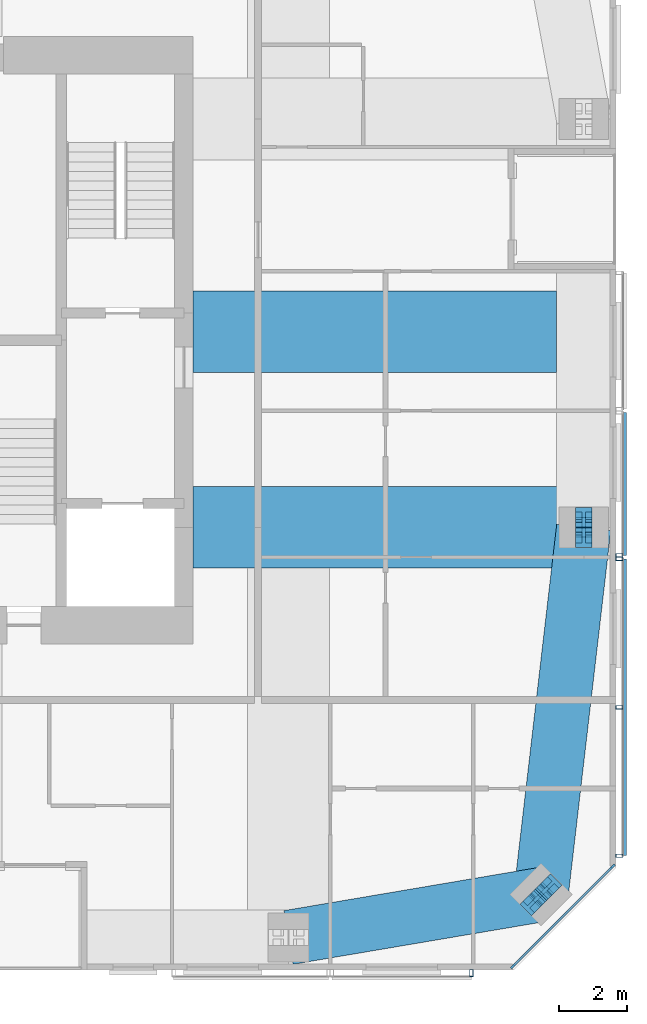
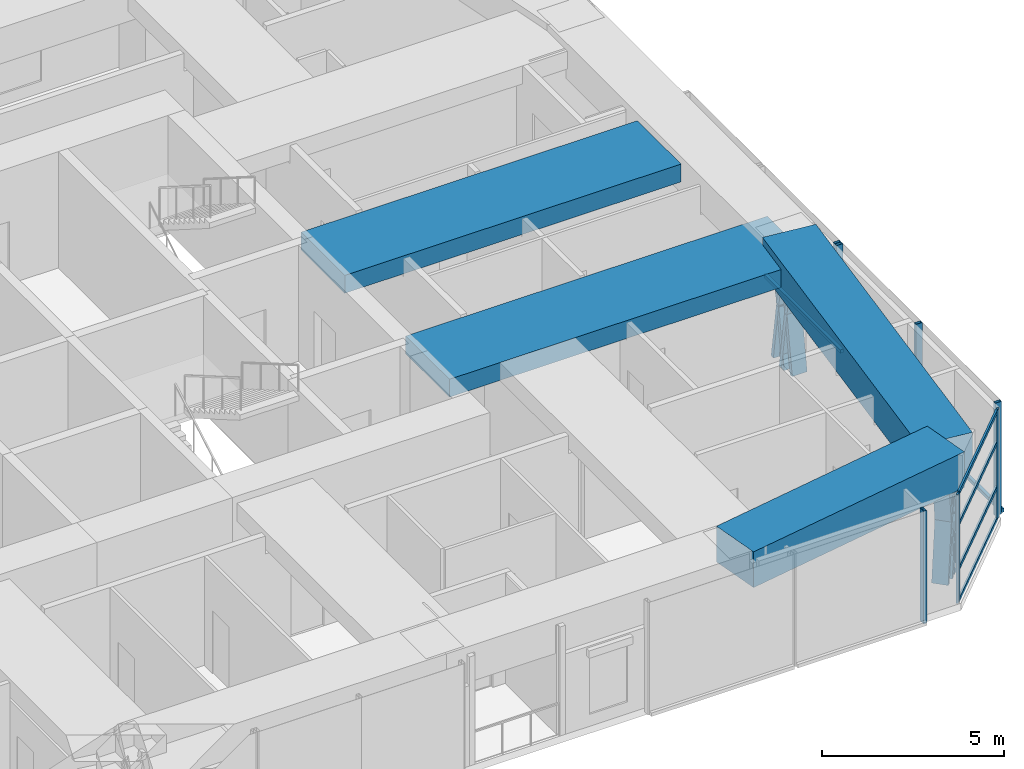
# One storey, part 8 of 20: 21 members, 4 beams, 4 elements without a shape of their own.
"""IFC4 building model written with IfcOpenShell, lengths in metres."""

from ifc_helpers import new_model, si_unit, direction, frame, origin, origin_2d, place, context, subcontext, project, spatial, rectangle, hollow_rectangle, i_section, extrude, material, material_profile, profile_set, type_object, element, aggregate, save


model = new_model("IFC4")

# Units and contexts
model_context = context("Model", 3, precision=1e-05, world=origin(), true_north=direction((0.0, 1.0)))
body_context = subcontext(model_context, "Body", "Model", "MODEL_VIEW")
ifc_project = project(units=[si_unit("LENGTHUNIT", "METRE"), si_unit("AREAUNIT", "SQUARE_METRE"), si_unit("VOLUMEUNIT", "CUBIC_METRE"), si_unit("PLANEANGLEUNIT", "RADIAN"), si_unit("MASSUNIT", "GRAM", prefix="KILO")], contexts=[model_context])

# Site, building, storey
site_placement = place(None, origin())
site = spatial("IfcSite", under=ifc_project, at=site_placement, CompositionType="ELEMENT")
building_placement = place(site_placement, origin())
building = spatial("IfcBuilding", under=site, at=building_placement, Name="Jalousie Tower", CompositionType="ELEMENT")
storey_placement = place(building_placement, frame((0.0, 0.0, 259.949951171875)))
storey = spatial("IfcBuildingStorey", under=building, at=storey_placement, Name="L71", CompositionType="ELEMENT", Elevation=259.949951171875)

# Curtain wall, members
ifc_material_1 = material(Name="Aluminium curtain wall", Category="aluminium")
curtain_wall_type_1 = type_object("IfcCurtainWallType", Name="PENTHOUSE CORNER WINDOW WALL", PredefinedType="USERDEFINED", material=ifc_material_1)
curtain_wall_1_placement = place(storey_placement, origin())
curtain_wall_1 = element("IfcCurtainWall", 1, at=curtain_wall_1_placement, inside=storey, type_object=curtain_wall_type_1, Name="Penthouse Corner Window Wall L71 2", ObjectType="PENTHOUSE CORNER WINDOW WALL", PredefinedType="USERDEFINED")
ifc_material_2 = material(Name="Aluminium mullion", Category="aluminium")
ifc_material_profile_1 = material_profile(ifc_material_2, rectangle(XDim=0.06005859375, YDim=0.179931640625, at=origin_2d()), Name="MULLION 60x180")
ifc_profile_set_1 = profile_set([ifc_material_profile_1], Name="Aluminium mullion")
member_type_1 = type_object("IfcMemberType", Name="PENTHOUSE CORNER WINDOW WALL MULLION", PredefinedType="MULLION", material=ifc_profile_set_1)
member_1_placement = place(storey_placement, frame((53.469970703125, 0.108642578125, 0.0), z_axis=(0.0, 0.0, 1.0), x_axis=(-0.707106781187, 0.707106781187, 0.0)))
member_1 = element("IfcMember", 2, at=member_1_placement, type_object=member_type_1, Name="CW-H mullion 1", PredefinedType="MULLION", context=body_context, shape_type="SweptSolid", body=[
    extrude(rectangle(XDim=0.06005859375, YDim=0.179931640625, at=origin_2d()), origin(), (0.0, 0.0, 1.0), 3.66015625),
])
member_2_placement = place(storey_placement, frame((56.391357421875, 3.030029296875, 0.0), z_axis=(0.0, 0.0, 1.0), x_axis=(-0.707106781187, 0.707106781187, 0.0)))
member_2 = element("IfcMember", 3, at=member_2_placement, type_object=member_type_1, Name="CW-H mullion 2", PredefinedType="MULLION", context=body_context, shape_type="SweptSolid", body=[
    extrude(rectangle(XDim=0.06005859375, YDim=0.179931640625, at=origin_2d()), origin(), (0.0, 0.0, 1.0), 3.66015625),
])
ifc_material_3 = material(Name="Aluminium transom", Category="aluminium")
ifc_material_profile_2 = material_profile(ifc_material_3, rectangle(XDim=0.06005859375, YDim=0.125, at=origin_2d()), Name="TRANSOM 60x125")
ifc_profile_set_2 = profile_set([ifc_material_profile_2], Name="Aluminium transom")
member_type_2 = type_object("IfcMemberType", Name="PENTHOUSE CORNER WINDOW WALL TRANSOM", PredefinedType="USERDEFINED", material=ifc_profile_set_2)
member_3_placement = place(storey_placement, frame((53.4912109375, 0.1298828125, 0.030029296875), z_axis=(0.707106781187, 0.707106781187, 0.0), x_axis=(-0.707106781187, 0.707106781187, 0.0)))
member_3 = element("IfcMember", 4, at=member_3_placement, type_object=member_type_2, Name="CW-H transom 1.1", ObjectType="TRANSOM", PredefinedType="USERDEFINED", context=body_context, shape_type="SweptSolid", body=[
    extrude(rectangle(XDim=0.06005859375, YDim=0.125, at=origin_2d()), origin(), (0.0, 0.0, 1.0), 4.0712890625),
])
member_4_placement = place(storey_placement, frame((53.4912109375, 0.1298828125, 1.10009765625), z_axis=(0.707106781187, 0.707106781187, 0.0), x_axis=(-0.707106781187, 0.707106781187, 0.0)))
member_4 = element("IfcMember", 5, at=member_4_placement, type_object=member_type_2, Name="CW-H transom 1.2", ObjectType="TRANSOM", PredefinedType="USERDEFINED", context=body_context, shape_type="SweptSolid", body=[
    extrude(rectangle(XDim=0.06005859375, YDim=0.125, at=origin_2d()), origin(), (0.0, 0.0, 1.0), 4.0712890625),
])
member_5_placement = place(storey_placement, frame((53.4912109375, 0.1298828125, 2.60009765625), z_axis=(0.707106781187, 0.707106781187, 0.0), x_axis=(-0.707106781187, 0.707106781187, 0.0)))
member_5 = element("IfcMember", 6, at=member_5_placement, type_object=member_type_2, Name="CW-H transom 1.3", ObjectType="TRANSOM", PredefinedType="USERDEFINED", context=body_context, shape_type="SweptSolid", body=[
    extrude(rectangle(XDim=0.06005859375, YDim=0.125, at=origin_2d()), origin(), (0.0, 0.0, 1.0), 4.0712890625),
])
member_6_placement = place(storey_placement, frame((53.4912109375, 0.1298828125, 3.630126953125), z_axis=(0.707106781187, 0.707106781187, 0.0), x_axis=(-0.707106781187, 0.707106781187, 0.0)))
member_6 = element("IfcMember", 7, at=member_6_placement, type_object=member_type_2, Name="CW-H transom 1.4", ObjectType="TRANSOM", PredefinedType="USERDEFINED", context=body_context, shape_type="SweptSolid", body=[
    extrude(rectangle(XDim=0.06005859375, YDim=0.125, at=origin_2d()), origin(), (0.0, 0.0, 1.0), 4.0712890625),
])
aggregate(curtain_wall_1, [member_1, member_2, member_3, member_4, member_5, member_6])

# Members
ifc_material_4 = material(Name="Steel ASTM A992 Grade 50", Category="steel")
ifc_material_profile_3 = material_profile(ifc_material_4, i_section(OverallWidth=0.472412109375, OverallDepth=0.5791015625, WebThickness=0.094970703125, FlangeThickness=0.1298828125, at=origin_2d()), Name="W14X808")
ifc_profile_set_3 = profile_set([ifc_material_profile_3], Name="Steel ASTM A992 Grade 50")
member_type_3 = type_object("IfcMemberType", Name="PERIMETER BRACE W14X808", PredefinedType="BRACE", material=ifc_profile_set_3)
for number, where, z_axis, x_axis, name in (
    (8, (54.04541015625, 1.959716796875, -0.599853515625), (0.124960137712, 0.124836902862, 0.984276745467), (-0.706757851183, 0.707455539091, 0.0), "Perimeter brace 05 L71 part 1"),
    (9, (54.29296875, 2.20703125, 1.35009765625), (0.124836902862, 0.124960137712, 0.984276745467), (-0.707455539091, 0.706757851183, 0.0), "Perimeter brace 05 L71 part 2"),
    (10, (54.540283203125, 2.45458984375, -0.599853515625), (-0.124836902862, -0.124960137712, 0.984276745467), (0.707455539091, -0.706757851183, 0.0), "Perimeter brace 05 L71 part 3"),
    (11, (54.29296875, 2.20703125, 1.35009765625), (-0.124960137712, -0.124836902862, 0.984276745467), (0.706757851183, -0.707455539091, 0.0), "Perimeter brace 05 L71 part 4"),
):
    element("IfcMember", number, at=place(storey_placement, frame(where, z_axis=z_axis, x_axis=x_axis)), inside=storey, type_object=member_type_3, Name=name, PredefinedType="BRACE", context=body_context, shape_type="SweptSolid", body=[
        extrude(i_section(OverallWidth=0.472412109375, OverallDepth=0.5791015625, WebThickness=0.094970703125, FlangeThickness=0.1298828125, at=origin_2d()), origin(), (0.0, 0.0, 1.0), 1.981201171875),
    ])
for number, where, z_axis, x_axis, name in (
    (12, (55.550048828125, 12.699951171875, -0.599853515625), (0.0, 0.152085080919, 0.988367405453), (-1.0, 0.0, 0.0), "Perimeter brace 06 L71 part 1"),
    (13, (55.550048828125, 13.0, 1.35009765625), (0.0, 0.152085080919, 0.988367405453), (-1.0, 0.0, 0.0), "Perimeter brace 06 L71 part 2"),
    (14, (55.550048828125, 13.300048828125, -0.599853515625), (0.0, -0.152085080919, 0.988367405453), (1.0, 0.0, 0.0), "Perimeter brace 06 L71 part 3"),
    (15, (55.550048828125, 13.0, 1.35009765625), (0.0, -0.152085080919, 0.988367405453), (1.0, 0.0, 0.0), "Perimeter brace 06 L71 part 4"),
):
    element("IfcMember", number, at=place(storey_placement, frame(where, z_axis=z_axis, x_axis=x_axis)), inside=storey, type_object=member_type_3, Name=name, PredefinedType="BRACE", context=body_context, shape_type="SweptSolid", body=[
        extrude(i_section(OverallWidth=0.472412109375, OverallDepth=0.5791015625, WebThickness=0.094970703125, FlangeThickness=0.1298828125, at=origin_2d()), origin(), (0.0, 0.0, 1.0), 1.972900390625),
    ])

# Beams
ifc_material_5 = material(Name="Concrete f'c 40 MPa", Category="concrete")
ifc_material_profile_4 = material_profile(ifc_material_5, rectangle(XDim=1.60009765625, YDim=1.199951171875, at=origin_2d()), Name="RC 1600x1200")
ifc_profile_set_4 = profile_set([ifc_material_profile_4], Name="Concrete f'c 40 MPa")
beam_type_1 = type_object("IfcBeamType", Name="RC BEAM 1600x1200", PredefinedType="BEAM", material=ifc_profile_set_4)
beam_1_placement = place(storey_placement, frame((46.875, 0.949951171875, 3.300048828125), z_axis=(0.985942997446, 0.167082033105, 0.0), x_axis=(-0.167082033105, 0.985942997446, 0.0)))
element("IfcBeam", 16, at=beam_1_placement, inside=storey, type_object=beam_type_1, Name="Edge band beam 04-05 under L72", PredefinedType="BEAM", context=body_context, shape_type="SweptSolid", body=[
    extrude(rectangle(XDim=1.60009765625, YDim=1.199951171875, at=origin_2d()), origin(), (0.0, 0.0, 1.0), 7.523681640625),
])
beam_2_placement = place(storey_placement, frame((54.29296875, 2.20703125, 3.300048828125), z_axis=(0.115690063472, 0.993285361421, 0.0), x_axis=(-0.993285361421, 0.115690063472, 0.0)))
element("IfcBeam", 17, at=beam_2_placement, inside=storey, type_object=beam_type_1, Name="Edge band beam 05-06 under L72", PredefinedType="BEAM", context=body_context, shape_type="SweptSolid", body=[
    extrude(rectangle(XDim=1.60009765625, YDim=1.199951171875, at=origin_2d()), origin(), (0.0, 0.0, 1.0), 10.865966796875),
])
ifc_material_6 = material(Name="Concrete f'c 40 MPa", Category="concrete")
ifc_material_profile_5 = material_profile(ifc_material_6, rectangle(XDim=2.39990234375, YDim=0.60009765625, at=origin_2d()), Name="RC 2400x600")
ifc_profile_set_5 = profile_set([ifc_material_profile_5], Name="Concrete f'c 40 MPa")
beam_type_2 = type_object("IfcBeamType", Name="RC BEAM 2400x600", PredefinedType="BEAM", material=ifc_profile_set_5)
beam_3_placement = place(storey_placement, frame((55.550048828125, 13.0, 3.360107421875), z_axis=(-1.0, 0.0, 0.0), x_axis=(0.0, -1.0, 0.0)))
element("IfcBeam", 18, at=beam_3_placement, inside=storey, type_object=beam_type_2, Name="Floor band beam under L72", PredefinedType="BEAM", context=body_context, shape_type="SweptSolid", body=[
    extrude(rectangle(XDim=2.39990234375, YDim=0.60009765625, at=origin_2d()), origin(), (0.0, 0.0, 1.0), 11.47509765625),
])
beam_4_placement = place(storey_placement, frame((44.074951171875, 18.75, 3.360107421875), z_axis=(1.0, 0.0, 0.0), x_axis=(0.0, 1.0, 0.0)))
element("IfcBeam", 19, at=beam_4_placement, inside=storey, type_object=beam_type_2, Name="Floor band beam under L72", PredefinedType="BEAM", context=body_context, shape_type="SweptSolid", body=[
    extrude(rectangle(XDim=2.39990234375, YDim=0.60009765625, at=origin_2d()), origin(), (0.0, 0.0, 1.0), 10.675048828125),
])

# Curtain wall, member
ifc_material_7 = material(Name="Perforated aluminium sheet", Category="aluminium")
curtain_wall_type_2 = type_object("IfcCurtainWallType", Name="SOLAR SCREEN SS-2", PredefinedType="USERDEFINED", material=ifc_material_7)
curtain_wall_2_placement = place(storey_placement, origin())
curtain_wall_2 = element("IfcCurtainWall", 20, at=curtain_wall_2_placement, inside=storey, type_object=curtain_wall_type_2, Name="Solar screen L71", ObjectType="SOLAR SCREEN SS-2", PredefinedType="USERDEFINED")
ifc_material_8 = material(Name="Steel ASTM A500 Grade C", Category="steel")
ifc_material_profile_6 = material_profile(ifc_material_8, hollow_rectangle(XDim=0.1015625, YDim=0.203125, WallThickness=0.0078125, at=origin_2d()), Name="HSS8X4X5/16")
ifc_profile_set_6 = profile_set([ifc_material_profile_6], Name="Steel ASTM A500 Grade C")
member_type_4 = type_object("IfcMemberType", Name="SOLAR SCREEN SS-2 MULLION", PredefinedType="MULLION", material=ifc_profile_set_6)
member_7_placement = place(storey_placement, frame((52.25, -0.0966796875, -0.119873046875), z_axis=(0.0, 0.0, 1.0), x_axis=(1.0, 0.0, 0.0)))
member_7 = element("IfcMember", 21, at=member_7_placement, type_object=member_type_4, Name="SS2 post 2", PredefinedType="MULLION", context=body_context, shape_type="SweptSolid", body=[
    extrude(hollow_rectangle(XDim=0.1015625, YDim=0.203125, WallThickness=0.0078125, at=origin_2d()), origin(), (0.0, 0.0, 1.0), 3.780029296875),
])
aggregate(curtain_wall_2, [member_7])

# Curtain wall, members
curtain_wall_3_placement = place(storey_placement, origin())
curtain_wall_3 = element("IfcCurtainWall", 22, at=curtain_wall_3_placement, inside=storey, type_object=curtain_wall_type_2, Name="Solar screen L71", ObjectType="SOLAR SCREEN SS-2", PredefinedType="USERDEFINED")
member_8_placement = place(storey_placement, frame((56.5966796875, 3.351318359375, -0.119873046875), z_axis=(0.0, 0.0, 1.0), x_axis=(0.0, 1.0, 0.0)))
member_8 = element("IfcMember", 23, at=member_8_placement, type_object=member_type_4, Name="SS2 post 1", PredefinedType="MULLION", context=body_context, shape_type="SweptSolid", body=[
    extrude(hollow_rectangle(XDim=0.1015625, YDim=0.203125, WallThickness=0.0078125, at=origin_2d()), origin(), (0.0, 0.0, 1.0), 3.780029296875),
])
member_9_placement = place(storey_placement, frame((56.5966796875, 7.713134765625, -0.119873046875), z_axis=(0.0, 0.0, 1.0), x_axis=(0.0, 1.0, 0.0)))
member_9 = element("IfcMember", 24, at=member_9_placement, type_object=member_type_4, Name="SS2 post 2", PredefinedType="MULLION", context=body_context, shape_type="SweptSolid", body=[
    extrude(hollow_rectangle(XDim=0.1015625, YDim=0.203125, WallThickness=0.0078125, at=origin_2d()), origin(), (0.0, 0.0, 1.0), 3.780029296875),
])
member_10_placement = place(storey_placement, frame((56.5966796875, 12.074951171875, -0.119873046875), z_axis=(0.0, 0.0, 1.0), x_axis=(0.0, 1.0, 0.0)))
member_10 = element("IfcMember", 25, at=member_10_placement, type_object=member_type_4, Name="SS2 post 3", PredefinedType="MULLION", context=body_context, shape_type="SweptSolid", body=[
    extrude(hollow_rectangle(XDim=0.1015625, YDim=0.203125, WallThickness=0.0078125, at=origin_2d()), origin(), (0.0, 0.0, 1.0), 3.780029296875),
])

# Curtain wall, member
curtain_wall_4_placement = place(storey_placement, origin())
curtain_wall_4 = element("IfcCurtainWall", 26, at=curtain_wall_4_placement, inside=storey, type_object=curtain_wall_type_2, Name="Solar screen L71", ObjectType="SOLAR SCREEN SS-2", PredefinedType="USERDEFINED")
member_11_placement = place(storey_placement, frame((56.5966796875, 12.175048828125, -0.119873046875), z_axis=(0.0, 0.0, 1.0), x_axis=(0.0, 1.0, 0.0)))
member_11 = element("IfcMember", 27, at=member_11_placement, type_object=member_type_4, Name="SS2 post 1", PredefinedType="MULLION", context=body_context, shape_type="SweptSolid", body=[
    extrude(hollow_rectangle(XDim=0.1015625, YDim=0.203125, WallThickness=0.0078125, at=origin_2d()), origin(), (0.0, 0.0, 1.0), 3.780029296875),
])

# Member
ifc_material_9 = material(Name="Extruded aluminium screen rail", Category="aluminium")
ifc_material_profile_7 = material_profile(ifc_material_9, rectangle(XDim=0.1015625, YDim=0.1201171875, at=origin_2d()), Name="RAIL 102x120")
ifc_profile_set_7 = profile_set([ifc_material_profile_7], Name="Extruded aluminium screen rail")
member_type_5 = type_object("IfcMemberType", Name="SOLAR SCREEN SS-2 TRANSOM", PredefinedType="USERDEFINED", material=ifc_profile_set_7)
member_12_placement = place(storey_placement, frame((56.7490234375, 3.351318359375, -0.06005859375), z_axis=(0.0, 1.0, 0.0), x_axis=(-1.0, 0.0, 0.0)))
member_12 = element("IfcMember", 28, at=member_12_placement, type_object=member_type_5, Name="SS2 rail", ObjectType="TRANSOM", PredefinedType="USERDEFINED", context=body_context, shape_type="SweptSolid", body=[
    extrude(rectangle(XDim=0.1015625, YDim=0.1201171875, at=origin_2d()), origin(), (0.0, 0.0, 1.0), 8.7236328125),
])

aggregate(curtain_wall_3, [member_8, member_9, member_10, member_12])

member_13_placement = place(storey_placement, frame((56.7490234375, 12.175048828125, -0.06005859375), z_axis=(0.0, 1.0, 0.0), x_axis=(-1.0, 0.0, 0.0)))
member_13 = element("IfcMember", 29, at=member_13_placement, type_object=member_type_5, Name="SS2 rail", ObjectType="TRANSOM", PredefinedType="USERDEFINED", context=body_context, shape_type="SweptSolid", body=[
    extrude(rectangle(XDim=0.1015625, YDim=0.1201171875, at=origin_2d()), origin(), (0.0, 0.0, 1.0), 4.199951171875),
])

aggregate(curtain_wall_4, [member_11, member_13])

save(model, "model.ifc")
